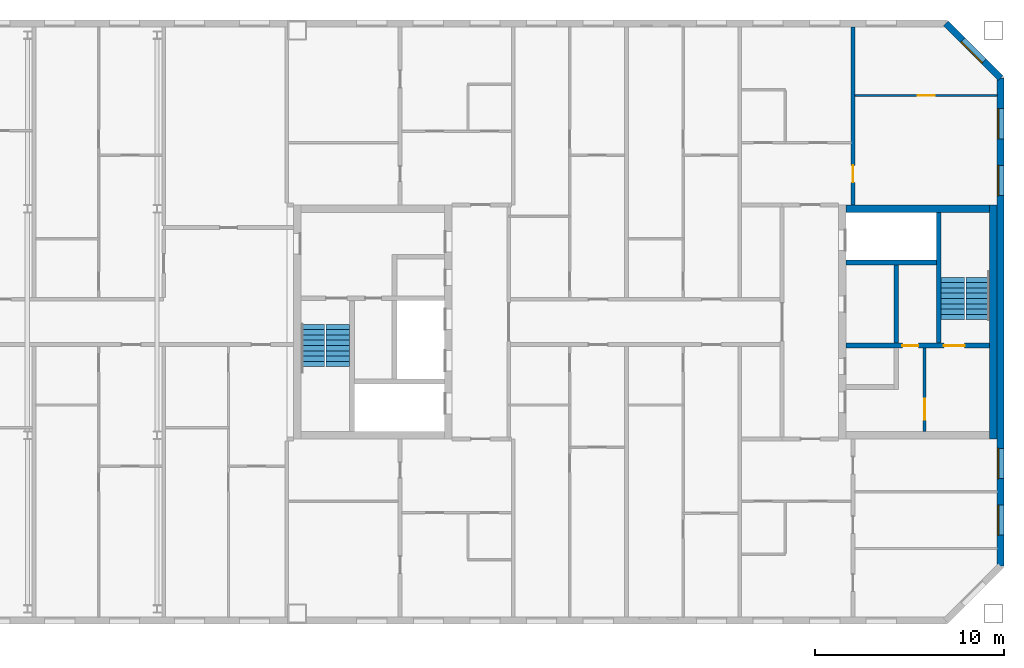
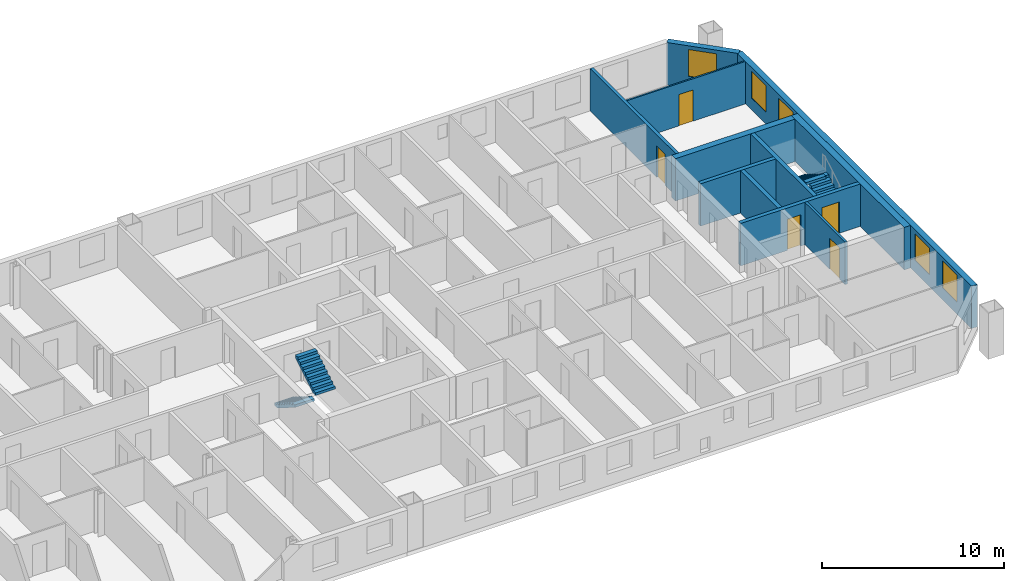
# One storey, part 17 of 19: 11 walls, 5 doors, 5 windows, 4 stair flights, 10 openings, 2 elements without a shape of their own.
"""IFC4 building model written with IfcOpenShell, lengths in metres."""

import ifcopenshell
import ifcopenshell.guid

model = None  # the IFC model being written
_history = None  # IfcOwnerHistory: only IFC2X3 demands one
_inside = {}  # id of a spatial element -> (the spatial element, [elements in it])
_under = {}  # id of a project, library or spatial element -> (it, [spatial elements below it])
_declared = {}  # id of a project -> (the project, [libraries it declares])
_typed = {}  # id of a type object -> (the type object, [elements of that type])
_made_of = {}  # id of a material, layer set ... -> (it, [elements and type objects made of it])


def new_model(schema):
    """Start an empty IFC model of exactly this schema.

    Asked for "IFC4X3", IfcOpenShell would pick the latest addendum, in which some entities
    have other attributes; the version numbers below select the first issue.
    IFC2X3 requires an IfcOwnerHistory on every rooted entity: one is made here for all.
    """
    global model, _history
    if schema == "IFC4X3":
        model = ifcopenshell.file(schema_version=(4, 3, 0, 0))
    else:
        model = ifcopenshell.file(schema=schema)
    _inside.clear()
    _under.clear()
    _declared.clear()
    _typed.clear()
    _made_of.clear()
    _history = None
    if model.schema == "IFC2X3":
        org = make("IfcOrganization", Name="unknown")
        user = make(
            "IfcPersonAndOrganization",
            ThePerson=make("IfcPerson", FamilyName="unknown"),
            TheOrganization=org,
        )
        app = make(
            "IfcApplication",
            ApplicationDeveloper=org,
            Version="unknown",
            ApplicationFullName="unknown",
            ApplicationIdentifier="unknown",
        )
        _history = make(
            "IfcOwnerHistory",
            OwningUser=user,
            OwningApplication=app,
            ChangeAction="ADDED",
            CreationDate=0,
        )
    return model


def make(cls, **values):
    """One entity of the class cls with the attributes given. An attribute that is None is left unset."""
    return model.create_entity(
        cls, **{name: value for name, value in values.items() if value is not None}
    )


def rooted(cls, **values):
    """An entity with a GlobalId (a new one), such as an element, a storey or a relation."""
    return make(cls, GlobalId=ifcopenshell.guid.new(), OwnerHistory=_history, **values)


def si_unit(unit_type, name, prefix=None):
    """IfcSIUnit, for example si_unit("LENGTHUNIT", "METRE", prefix="MILLI")."""
    return make("IfcSIUnit", UnitType=unit_type, Prefix=prefix, Name=name)


def assignment(units):
    """IfcUnitAssignment: the units of a project."""
    return None if units is None else make("IfcUnitAssignment", Units=units)


def point(xyz):
    """IfcCartesianPoint."""
    return None if xyz is None else make("IfcCartesianPoint", Coordinates=xyz)


def direction(xyz):
    """IfcDirection."""
    return None if xyz is None else make("IfcDirection", DirectionRatios=xyz)


def frame(location, z_axis=None, x_axis=None):
    """IfcAxis2Placement3D, a coordinate frame: its origin and axes. An axis left out is left unset."""
    return make(
        "IfcAxis2Placement3D",
        Location=point(location),
        Axis=direction(z_axis),
        RefDirection=direction(x_axis),
    )


def frame_2d(location, x_axis=None):
    """IfcAxis2Placement2D, a coordinate frame in the plane: its origin and x axis."""
    return make(
        "IfcAxis2Placement2D", Location=point(location), RefDirection=direction(x_axis)
    )


def origin():
    """The frame at (0, 0, 0) with its axes left unset."""
    return frame((0.0, 0.0, 0.0))


def place(relative_to, where):
    """IfcLocalPlacement: puts the frame where relative to a parent placement (None: the world)."""
    return make(
        "IfcLocalPlacement", PlacementRelTo=relative_to, RelativePlacement=where
    )


def context(
    kind, dimensions, precision=None, world=None, true_north=None, identifier=None
):
    """IfcGeometricRepresentationContext, for example the 3D "Model" context."""
    return make(
        "IfcGeometricRepresentationContext",
        ContextIdentifier=identifier,
        ContextType=kind,
        CoordinateSpaceDimension=dimensions,
        Precision=precision,
        WorldCoordinateSystem=world,
        TrueNorth=true_north,
    )


def subcontext(parent, identifier, kind, view, scale=None):
    """IfcGeometricRepresentationSubContext, for example "Body" below "Model"."""
    return make(
        "IfcGeometricRepresentationSubContext",
        ContextIdentifier=identifier,
        ContextType=kind,
        ParentContext=parent,
        TargetScale=scale,
        TargetView=view,
    )


def project(units=None, contexts=None):
    """IfcProject with its units and contexts."""
    return rooted(
        "IfcProject",
        Name="project",
        RepresentationContexts=contexts,
        UnitsInContext=assignment(units),
    )


def spatial(cls, under=None, at=None, **own):
    """A site, building, storey or space (cls), placed at a placement, below another one or the project."""
    s = rooted(cls, ObjectPlacement=at, **own)
    if under is not None:
        _under.setdefault(under.id(), (under, []))[1].append(s)
    return s


def polyline(points):
    """IfcPolyline through the points."""
    return make("IfcPolyline", Points=[point(p) for p in points])


def profile(cls, at=None, kind="AREA", **sizes):
    """A parametric profile (cls). Its sizes go by their IFC names, for example OverallWidth=200.0."""
    return make(cls, ProfileType=kind, Position=at, **sizes)


def rectangle(**sizes):
    """IfcRectangleProfileDef."""
    return profile("IfcRectangleProfileDef", **sizes)


def outline(outer, holes=None, kind="AREA"):
    """IfcArbitraryClosedProfileDef: a profile drawn as a closed curve; with holes, ...WithVoids."""
    if holes is None:
        return make("IfcArbitraryClosedProfileDef", ProfileType=kind, OuterCurve=outer)
    return make(
        "IfcArbitraryProfileDefWithVoids",
        ProfileType=kind,
        OuterCurve=outer,
        InnerCurves=holes,
    )


def extrude(swept, where, along, depth):
    """IfcExtrudedAreaSolid: the profile swept, set in the frame where, extruded along a direction by depth."""
    return make(
        "IfcExtrudedAreaSolid",
        SweptArea=swept,
        Position=where,
        ExtrudedDirection=direction(along),
        Depth=depth,
    )


def shape(context_of_items, identifier, shape_type, items):
    """IfcShapeRepresentation: the items that make up one representation, for example the "Body"."""
    return make(
        "IfcShapeRepresentation",
        ContextOfItems=context_of_items,
        RepresentationIdentifier=identifier,
        RepresentationType=shape_type,
        Items=items,
    )


def material(Name=None, Category=None):
    """IfcMaterial."""
    return make("IfcMaterial", Name=Name, Category=Category)


def layer(
    of_material, thickness, ventilated=None, Name=None, Category=None, Priority=None
):
    """IfcMaterialLayer: one layer of a wall or slab, of a material (None: an air gap)."""
    return make(
        "IfcMaterialLayer",
        Material=of_material,
        LayerThickness=thickness,
        IsVentilated=ventilated,
        Name=Name,
        Category=Category,
        Priority=Priority,
    )


def layer_set(layers, Name=None):
    """IfcMaterialLayerSet."""
    return make("IfcMaterialLayerSet", MaterialLayers=layers, LayerSetName=Name)


def made_of(thing, what):
    """Note that an element or type object is made of a material, layer set ...; save() writes the relation."""
    if what is not None:
        _made_of.setdefault(what.id(), (what, []))[1].append(thing)
    return thing


def type_object(cls, material=None, **own):
    """A type object (cls), such as IfcWallType, which elements share."""
    return made_of(rooted(cls, **own), material)


def element(
    cls,
    number,
    at=None,
    inside=None,
    cuts=None,
    type_object=None,
    material=None,
    context=None,
    identifier="Body",
    shape_type=None,
    held_by="IfcProductDefinitionShape",
    body=None,
    shapes=None,
    **own,
):
    """One element of the class cls, such as IfcWall. Its Tag is "e" and its number.

    at: its placement. inside: the storey or other place that contains it. cuts: it is an
    opening in that element (IfcRelVoidsElement). A single representation is given by context,
    identifier, shape_type and body (its items); several are given by shapes. held_by: the class
    of the entity that holds the representations. save() writes the other relations.
    """
    e = rooted(cls, Tag="e%d" % number, ObjectPlacement=at, **own)
    if body is not None:
        shapes = [shape(context, identifier, shape_type, body)]
    if shapes is not None:
        e.Representation = make(held_by, Representations=shapes)
    if inside is not None:
        _inside.setdefault(inside.id(), (inside, []))[1].append(e)
    if cuts is not None:
        rooted(
            "IfcRelVoidsElement", RelatingBuildingElement=cuts, RelatedOpeningElement=e
        )
    if type_object is not None:
        _typed.setdefault(type_object.id(), (type_object, []))[1].append(e)
    return made_of(e, material)


def fill(opening, filler):
    """IfcRelFillsElement: the door or window that sits in an opening."""
    return rooted(
        "IfcRelFillsElement",
        RelatingOpeningElement=opening,
        RelatedBuildingElement=filler,
    )


def aggregate(whole, parts):
    """IfcRelAggregates: a whole, such as a stair, and the parts it consists of."""
    return rooted("IfcRelAggregates", RelatingObject=whole, RelatedObjects=parts)


def save(model, path):
    """Write the relations noted so far, then the file.

    IfcRelAggregates (storeys below a building ...), IfcRelContainedInSpatialStructure (elements
    in a storey), IfcRelDefinesByType, IfcRelAssociatesMaterial and IfcRelDeclares: one each for
    every whole, place, type object, material and project.
    """
    for whole, parts in _under.values():
        aggregate(whole, parts)
    for where, things in _inside.values():
        rooted(
            "IfcRelContainedInSpatialStructure",
            RelatedElements=things,
            RelatingStructure=where,
        )
    for kind, things in _typed.values():
        rooted("IfcRelDefinesByType", RelatedObjects=things, RelatingType=kind)
    for what, things in _made_of.values():
        rooted("IfcRelAssociatesMaterial", RelatedObjects=things, RelatingMaterial=what)
    for by, libraries in _declared.values():
        rooted("IfcRelDeclares", RelatingContext=by, RelatedDefinitions=libraries)
    model.write(path)


model = new_model("IFC4")

# Units and contexts
model_context = context("Model", 3, precision=1e-05, world=origin(), true_north=direction((0.0, 1.0)))
body_context = subcontext(model_context, "Body", "Model", "MODEL_VIEW")
ifc_project = project(units=[si_unit("LENGTHUNIT", "METRE"), si_unit("AREAUNIT", "SQUARE_METRE"), si_unit("VOLUMEUNIT", "CUBIC_METRE"), si_unit("PLANEANGLEUNIT", "RADIAN"), si_unit("MASSUNIT", "GRAM", prefix="KILO")], contexts=[model_context])

# Site, building, storey
site_placement = place(None, origin())
site = spatial("IfcSite", under=ifc_project, at=site_placement, CompositionType="ELEMENT")
building_placement = place(site_placement, origin())
building = spatial("IfcBuilding", under=site, at=building_placement, Name="Tuart Gate Housing", CompositionType="ELEMENT")
storey_placement = place(building_placement, frame((0.0, 0.0, 233.800048828125)))
storey = spatial("IfcBuildingStorey", under=building, at=storey_placement, Name="L66", CompositionType="ELEMENT", Elevation=233.800048828125)

# Wall, openings, windows
ifc_material_1 = material(Name="Brick", Category="masonry")
ifc_layer_1 = layer(ifc_material_1, 0.360107421875)
ifc_layer_set_1 = layer_set([ifc_layer_1], Name="Brick pier and spandrel wall 360")
wall_type_1 = type_object("IfcWallType", Name="Brick pier and spandrel wall 360", PredefinedType="STANDARD", material=ifc_layer_set_1)
wall_1_placement = place(storey_placement, frame((168.820068359375, 57.07470703125, 0.0), z_axis=(0.0, 0.0, 1.0), x_axis=(0.0, 1.0, 0.0)))
wall_1 = element("IfcWall", 1, at=wall_1_placement, inside=storey, type_object=wall_type_1, Name="External wall BLK-E L66", PredefinedType="STANDARD", context=body_context, shape_type="SweptSolid", body=[
    extrude(rectangle(XDim=25.850830078125, YDim=0.360107421875, at=frame_2d((12.92529296875, 0.0))), origin(), (0.0, 0.0, 1.0), 2.849853515625),
])
opening_1_placement = place(wall_1_placement, frame((1.62548828125, 0.0, 0.800048828125)))
opening_1 = element("IfcOpeningElement", 2, at=opening_1_placement, cuts=wall_1, Name="Opening W1", PredefinedType="OPENING", context=body_context, shape_type="SweptSolid", body=[
    extrude(rectangle(XDim=1.60009765625, YDim=1.800048828125, at=frame_2d((0.800048828125, 0.89990234375))), frame((0.0, 0.18994140625, 0.0), z_axis=(0.0, -1.0, 0.0), x_axis=(1.0, 0.0, 0.0)), (0.0, 0.0, 1.0), 0.380126953125),
])
opening_2_placement = place(wall_1_placement, frame((4.62548828125, 0.0, 0.800048828125)))
opening_2 = element("IfcOpeningElement", 3, at=opening_2_placement, cuts=wall_1, Name="Opening W1", PredefinedType="OPENING", context=body_context, shape_type="SweptSolid", body=[
    extrude(rectangle(XDim=1.60009765625, YDim=1.800048828125, at=frame_2d((0.800048828125, 0.89990234375))), frame((0.0, 0.18994140625, 0.0), z_axis=(0.0, -1.0, 0.0), x_axis=(1.0, 0.0, 0.0)), (0.0, 0.0, 1.0), 0.380126953125),
])
opening_3_placement = place(wall_1_placement, frame((19.62548828125, 0.0, 0.800048828125)))
opening_3 = element("IfcOpeningElement", 4, at=opening_3_placement, cuts=wall_1, Name="Opening W1", PredefinedType="OPENING", context=body_context, shape_type="SweptSolid", body=[
    extrude(rectangle(XDim=1.60009765625, YDim=1.800048828125, at=frame_2d((0.800048828125, 0.89990234375))), frame((0.0, 0.18994140625, 0.0), z_axis=(0.0, -1.0, 0.0), x_axis=(1.0, 0.0, 0.0)), (0.0, 0.0, 1.0), 0.380126953125),
])
opening_4_placement = place(wall_1_placement, frame((22.62548828125, 0.0, 0.800048828125)))
opening_4 = element("IfcOpeningElement", 5, at=opening_4_placement, cuts=wall_1, Name="Opening W1", PredefinedType="OPENING", context=body_context, shape_type="SweptSolid", body=[
    extrude(rectangle(XDim=1.60009765625, YDim=1.800048828125, at=frame_2d((0.800048828125, 0.89990234375))), frame((0.0, 0.18994140625, 0.0), z_axis=(0.0, -1.0, 0.0), x_axis=(1.0, 0.0, 0.0)), (0.0, 0.0, 1.0), 0.380126953125),
])
ifc_material_2 = material(Name="Aluminium frame with clear glass", Category="aluminium")
window_type = type_object("IfcWindowType", Name="Punched window 1600 x 1800", PartitioningType="SINGLE_PANEL", PredefinedType="WINDOW", material=ifc_material_2)
window_1_placement = place(opening_1_placement, origin())
window_1 = element("IfcWindow", 6, at=window_1_placement, inside=storey, type_object=window_type, Name="Window W1", OverallHeight=1.800048828125, OverallWidth=1.60009765625, PartitioningType="SINGLE_PANEL", PredefinedType="WINDOW", context=body_context, shape_type="SweptSolid", body=[
    extrude(rectangle(XDim=1.60009765625, YDim=1.800048828125, at=frame_2d((0.800048828125, 0.89990234375))), frame((0.0, 0.150146484375, 0.0), z_axis=(0.0, -1.0, 0.0), x_axis=(1.0, 0.0, 0.0)), (0.0, 0.0, 1.0), 0.06005859375),
])
fill(opening_1, window_1)
window_2_placement = place(opening_2_placement, origin())
window_2 = element("IfcWindow", 7, at=window_2_placement, inside=storey, type_object=window_type, Name="Window W1", OverallHeight=1.800048828125, OverallWidth=1.60009765625, PartitioningType="SINGLE_PANEL", PredefinedType="WINDOW", context=body_context, shape_type="SweptSolid", body=[
    extrude(rectangle(XDim=1.60009765625, YDim=1.800048828125, at=frame_2d((0.800048828125, 0.89990234375))), frame((0.0, 0.150146484375, 0.0), z_axis=(0.0, -1.0, 0.0), x_axis=(1.0, 0.0, 0.0)), (0.0, 0.0, 1.0), 0.06005859375),
])
fill(opening_2, window_2)
window_3_placement = place(opening_3_placement, origin())
window_3 = element("IfcWindow", 8, at=window_3_placement, inside=storey, type_object=window_type, Name="Window W1", OverallHeight=1.800048828125, OverallWidth=1.60009765625, PartitioningType="SINGLE_PANEL", PredefinedType="WINDOW", context=body_context, shape_type="SweptSolid", body=[
    extrude(rectangle(XDim=1.60009765625, YDim=1.800048828125, at=frame_2d((0.800048828125, 0.89990234375))), frame((0.0, 0.150146484375, 0.0), z_axis=(0.0, -1.0, 0.0), x_axis=(1.0, 0.0, 0.0)), (0.0, 0.0, 1.0), 0.06005859375),
])
fill(opening_3, window_3)
window_4_placement = place(opening_4_placement, origin())
window_4 = element("IfcWindow", 9, at=window_4_placement, inside=storey, type_object=window_type, Name="Window W1", OverallHeight=1.800048828125, OverallWidth=1.60009765625, PartitioningType="SINGLE_PANEL", PredefinedType="WINDOW", context=body_context, shape_type="SweptSolid", body=[
    extrude(rectangle(XDim=1.60009765625, YDim=1.800048828125, at=frame_2d((0.800048828125, 0.89990234375))), frame((0.0, 0.150146484375, 0.0), z_axis=(0.0, -1.0, 0.0), x_axis=(1.0, 0.0, 0.0)), (0.0, 0.0, 1.0), 0.06005859375),
])
fill(opening_4, window_4)

# Wall, opening, window
wall_2_placement = place(storey_placement, frame((168.820068359375, 82.92529296875, 0.0), z_axis=(0.0, 0.0, 1.0), x_axis=(-0.707106781187, 0.707106781187, 0.0)))
wall_2 = element("IfcWall", 10, at=wall_2_placement, inside=storey, type_object=wall_type_1, Name="External wall BLK-NE L66", PredefinedType="STANDARD", context=body_context, shape_type="SweptSolid", body=[
    extrude(rectangle(XDim=4.09375, YDim=0.360107421875, at=frame_2d((2.046875, 0.0))), origin(), (0.0, 0.0, 1.0), 2.849853515625),
])
opening_5_placement = place(wall_2_placement, frame((1.2470703125, 0.0, 0.800048828125)))
opening_5 = element("IfcOpeningElement", 11, at=opening_5_placement, cuts=wall_2, Name="Opening W1", PredefinedType="OPENING", context=body_context, shape_type="SweptSolid", body=[
    extrude(rectangle(XDim=1.60009765625, YDim=1.800048828125, at=frame_2d((0.800048828125, 0.89990234375))), frame((0.0, 0.18994140625, 0.0), z_axis=(0.0, -1.0, 0.0), x_axis=(1.0, 0.0, 0.0)), (0.0, 0.0, 1.0), 0.380126953125),
])
window_5_placement = place(opening_5_placement, origin())
window_5 = element("IfcWindow", 12, at=window_5_placement, inside=storey, type_object=window_type, Name="Window W1", OverallHeight=1.800048828125, OverallWidth=1.60009765625, PartitioningType="SINGLE_PANEL", PredefinedType="WINDOW", context=body_context, shape_type="SweptSolid", body=[
    extrude(rectangle(XDim=1.60009765625, YDim=1.800048828125, at=frame_2d((0.800048828125, 0.89990234375))), frame((0.0, 0.150146484375, 0.0), z_axis=(0.0, -1.0, 0.0), x_axis=(1.0, 0.0, 0.0)), (0.0, 0.0, 1.0), 0.06005859375),
])
fill(opening_5, window_5)

# Wall, opening, door
ifc_material_3 = material(Name="Plasterboard partition")
ifc_layer_2 = layer(ifc_material_3, 0.14990234375)
ifc_layer_set_2 = layer_set([ifc_layer_2], Name="Core partition 150")
wall_type_2 = type_object("IfcWallType", Name="Core partition 150", PredefinedType="PARTITIONING", material=ifc_layer_set_2)
wall_3_placement = place(storey_placement, frame((164.7900390625, 68.625, 0.0), z_axis=(0.0, 0.0, 1.0), x_axis=(0.0, -1.0, 0.0)))
wall_3 = element("IfcWall", 13, at=wall_3_placement, inside=storey, type_object=wall_type_2, Name="Core partition BK.6", PredefinedType="PARTITIONING", context=body_context, shape_type="SweptSolid", body=[
    extrude(rectangle(XDim=4.425048828125, YDim=0.14990234375, at=frame_2d((2.21240234375, 0.0))), origin(), (0.0, 0.0, 1.0), 2.849853515625),
])
opening_6_placement = place(wall_3_placement, frame((2.699951171875, 0.0, 0.0)))
opening_6 = element("IfcOpeningElement", 14, at=opening_6_placement, cuts=wall_3, Name="Opening D2589", PredefinedType="OPENING", context=body_context, shape_type="SweptSolid", body=[
    extrude(rectangle(XDim=1.10009765625, YDim=2.10009765625, at=frame_2d((0.550048828125, 1.050048828125))), frame((0.0, 0.0849609375, 0.0), z_axis=(0.0, -1.0, 0.0), x_axis=(1.0, 0.0, 0.0)), (0.0, 0.0, 1.0), 0.169921875),
])
ifc_material_4 = material(Name="Steel fire door", Category="steel")
door_type_1 = type_object("IfcDoorType", Name="Lobby door 1100 x 2100 RH", OperationType="SINGLE_SWING_RIGHT", PredefinedType="DOOR", material=ifc_material_4)
door_1_placement = place(opening_6_placement, origin())
door_1 = element("IfcDoor", 15, at=door_1_placement, inside=storey, type_object=door_type_1, Name="Smoke lobby door BK.KD", OperationType="SINGLE_SWING_RIGHT", OverallHeight=2.10009765625, OverallWidth=1.10009765625, PredefinedType="DOOR", context=body_context, shape_type="SweptSolid", body=[
    extrude(rectangle(XDim=1.10009765625, YDim=2.10009765625, at=frame_2d((0.550048828125, 1.050048828125))), frame((0.0, 0.02490234375, 0.0), z_axis=(0.0, -1.0, 0.0), x_axis=(1.0, 0.0, 0.0)), (0.0, 0.0, 1.0), 0.050048828125),
])
fill(opening_6, door_1)

# Wall
ifc_material_5 = material(Name="Concrete C40", Category="concrete")
ifc_layer_3 = layer(ifc_material_5, 0.25)
ifc_layer_set_3 = layer_set([ifc_layer_3], Name="Core wall 250 C40")
wall_type_3 = type_object("IfcWallType", Name="Core wall 250 C40", PredefinedType="SHEAR", material=ifc_layer_set_3)
wall_4_placement = place(storey_placement, frame((160.639892578125, 73.14990234375, 0.0), z_axis=(0.0, 0.0, 1.0), x_axis=(1.0, 0.0, 0.0)))
element("IfcWall", 16, at=wall_4_placement, inside=storey, type_object=wall_type_3, Name="Core wall BK.1", PredefinedType="SHEAR", context=body_context, shape_type="SweptSolid", body=[
    extrude(rectangle(XDim=4.775146484375, YDim=0.25, at=frame_2d((2.3876953125, 0.0))), origin(), (0.0, 0.0, 1.0), 2.849853515625),
])

# Wall, openings, doors
wall_5_placement = place(storey_placement, frame((160.639892578125, 68.75, 0.0), z_axis=(0.0, 0.0, 1.0), x_axis=(1.0, 0.0, 0.0)))
wall_5 = element("IfcWall", 17, at=wall_5_placement, inside=storey, type_object=wall_type_3, Name="Core wall BK.2", PredefinedType="SHEAR", context=body_context, shape_type="SweptSolid", body=[
    extrude(rectangle(XDim=7.60009765625, YDim=0.25, at=frame_2d((3.800048828125, 0.0))), origin(), (0.0, 0.0, 1.0), 2.849853515625),
])
opening_7_placement = place(wall_5_placement, frame((5.175048828125, 0.0, 0.0)))
opening_7 = element("IfcOpeningElement", 18, at=opening_7_placement, cuts=wall_5, Name="Opening D2588", PredefinedType="OPENING", context=body_context, shape_type="SweptSolid", body=[
    extrude(rectangle(XDim=1.10009765625, YDim=2.10009765625, at=frame_2d((0.550048828125, 1.050048828125))), frame((0.0, 0.135009765625, 0.0), z_axis=(0.0, -1.0, 0.0), x_axis=(1.0, 0.0, 0.0)), (0.0, 0.0, 1.0), 0.27001953125),
])
opening_8_placement = place(wall_5_placement, frame((2.97509765625, 0.0, 0.0)))
opening_8 = element("IfcOpeningElement", 19, at=opening_8_placement, cuts=wall_5, Name="Opening D2587", PredefinedType="OPENING", context=body_context, shape_type="SweptSolid", body=[
    extrude(rectangle(XDim=0.85009765625, YDim=2.10009765625, at=frame_2d((0.425048828125, 1.050048828125))), frame((0.0, 0.135009765625, 0.0), z_axis=(0.0, -1.0, 0.0), x_axis=(1.0, 0.0, 0.0)), (0.0, 0.0, 1.0), 0.27001953125),
])
ifc_material_6 = material(Name="Steel fire door", Category="steel")
door_type_2 = type_object("IfcDoorType", Name="Riser door 850 x 2100", OperationType="SINGLE_SWING_LEFT", PredefinedType="DOOR", material=ifc_material_6)
door_2_placement = place(opening_8_placement, origin())
door_2 = element("IfcDoor", 20, at=door_2_placement, inside=storey, type_object=door_type_2, Name="Service room door BK.W1", OperationType="SINGLE_SWING_LEFT", OverallHeight=2.10009765625, OverallWidth=0.85009765625, PredefinedType="DOOR", context=body_context, shape_type="SweptSolid", body=[
    extrude(rectangle(XDim=0.85009765625, YDim=2.10009765625, at=frame_2d((0.425048828125, 1.050048828125))), frame((0.0, 0.02490234375, 0.0), z_axis=(0.0, -1.0, 0.0), x_axis=(1.0, 0.0, 0.0)), (0.0, 0.0, 1.0), 0.050048828125),
])
fill(opening_8, door_2)
ifc_material_7 = material(Name="Steel fire door", Category="steel")
door_type_3 = type_object("IfcDoorType", Name="Stair door 1100 x 2100", OperationType="SINGLE_SWING_LEFT", PredefinedType="DOOR", material=ifc_material_7)
door_3_placement = place(opening_7_placement, origin())
door_3 = element("IfcDoor", 21, at=door_3_placement, inside=storey, type_object=door_type_3, Name="Stair door BK.SD", OperationType="SINGLE_SWING_LEFT", OverallHeight=2.10009765625, OverallWidth=1.10009765625, PredefinedType="DOOR", context=body_context, shape_type="SweptSolid", body=[
    extrude(rectangle(XDim=1.10009765625, YDim=2.10009765625, at=frame_2d((0.550048828125, 1.050048828125))), frame((0.0, 0.02490234375, 0.0), z_axis=(0.0, -1.0, 0.0), x_axis=(1.0, 0.0, 0.0)), (0.0, 0.0, 1.0), 0.050048828125),
])
fill(opening_7, door_3)

# Walls
wall_6_placement = place(storey_placement, frame((163.2900390625, 73.02490234375, 0.0), z_axis=(0.0, 0.0, 1.0), x_axis=(0.0, -1.0, 0.0)))
element("IfcWall", 22, at=wall_6_placement, inside=storey, type_object=wall_type_3, Name="Core wall BK.4", PredefinedType="SHEAR", context=body_context, shape_type="SweptSolid", body=[
    extrude(rectangle(XDim=4.14990234375, YDim=0.25, at=frame_2d((2.074951171875, 0.0))), origin(), (0.0, 0.0, 1.0), 2.849853515625),
])
wall_7_placement = place(storey_placement, frame((165.5400390625, 75.800048828125, 0.0), z_axis=(0.0, 0.0, 1.0), x_axis=(0.0, -1.0, 0.0)))
element("IfcWall", 23, at=wall_7_placement, inside=storey, type_object=wall_type_3, Name="Core wall BK.7", PredefinedType="SHEAR", context=body_context, shape_type="SweptSolid", body=[
    extrude(rectangle(XDim=6.925048828125, YDim=0.25, at=frame_2d((3.46240234375, 0.0))), origin(), (0.0, 0.0, 1.0), 2.849853515625),
])
ifc_material_8 = material(Name="Concrete C40", Category="concrete")
ifc_layer_4 = layer(ifc_material_8, 0.39990234375)
ifc_layer_set_4 = layer_set([ifc_layer_4], Name="Core wall 400 C40")
wall_type_4 = type_object("IfcWallType", Name="Core wall 400 C40", PredefinedType="SHEAR", material=ifc_layer_set_4)
wall_8_placement = place(storey_placement, frame((168.43994140625, 76.199951171875, 0.0), z_axis=(0.0, 0.0, 1.0), x_axis=(0.0, -1.0, 0.0)))
element("IfcWall", 24, at=wall_8_placement, inside=storey, type_object=wall_type_4, Name="Core wall BK back", PredefinedType="SHEAR", context=body_context, shape_type="SweptSolid", body=[
    extrude(rectangle(XDim=12.39990234375, YDim=0.39990234375, at=frame_2d((6.199951171875, 0.0))), origin(), (0.0, 0.0, 1.0), 2.849853515625),
])
wall_9_placement = place(storey_placement, frame((160.639892578125, 76.0, 0.0), z_axis=(0.0, 0.0, 1.0), x_axis=(1.0, 0.0, 0.0)))
element("IfcWall", 25, at=wall_9_placement, inside=storey, type_object=wall_type_4, Name="Core wall BK south", PredefinedType="SHEAR", context=body_context, shape_type="SweptSolid", body=[
    extrude(rectangle(XDim=7.60009765625, YDim=0.39990234375, at=frame_2d((3.800048828125, 0.0))), origin(), (0.0, 0.0, 1.0), 2.849853515625),
])

# Wall, opening, door
ifc_material_9 = material(Name="Gypsum board on steel studs", Category="steel")
ifc_layer_5 = layer(ifc_material_9, 0.10009765625)
ifc_layer_set_5 = layer_set([ifc_layer_5], Name="Partition 100")
wall_type_5 = type_object("IfcWallType", Name="Partition 100", PredefinedType="PARTITIONING", material=ifc_layer_set_5)
wall_10_placement = place(storey_placement, frame((161.10009765625, 82.0, 0.0), z_axis=(0.0, 0.0, 1.0), x_axis=(1.0, 0.0, 0.0)))
wall_10 = element("IfcWall", 26, at=wall_10_placement, inside=storey, type_object=wall_type_5, Name="Partition 100", PredefinedType="PARTITIONING", context=body_context, shape_type="SweptSolid", body=[
    extrude(rectangle(XDim=7.539794921875, YDim=0.10009765625, at=frame_2d((3.77001953125, 0.0))), origin(), (0.0, 0.0, 1.0), 2.849853515625),
])
opening_9_placement = place(wall_10_placement, frame((3.320068359375, 0.0, 0.0)))
opening_9 = element("IfcOpeningElement", 27, at=opening_9_placement, cuts=wall_10, Name="Opening D2557", PredefinedType="OPENING", context=body_context, shape_type="SweptSolid", body=[
    extrude(rectangle(XDim=0.89990234375, YDim=2.10009765625, at=frame_2d((0.449951171875, 1.050048828125))), frame((0.0, 0.06005859375, 0.0), z_axis=(0.0, -1.0, 0.0), x_axis=(1.0, 0.0, 0.0)), (0.0, 0.0, 1.0), 0.1201171875),
])
ifc_material_10 = material(Name="Timber door leaf in steel frame", Category="steel")
door_type_4 = type_object("IfcDoorType", Name="Internal door 900 RH", OperationType="SINGLE_SWING_RIGHT", PredefinedType="DOOR", material=ifc_material_10)
door_4_placement = place(opening_9_placement, origin())
door_4 = element("IfcDoor", 28, at=door_4_placement, inside=storey, type_object=door_type_4, Name="Internal door", OperationType="SINGLE_SWING_RIGHT", OverallHeight=2.10009765625, OverallWidth=0.89990234375, PredefinedType="DOOR", context=body_context, shape_type="SweptSolid", body=[
    extrude(rectangle(XDim=0.89990234375, YDim=2.10009765625, at=frame_2d((0.449951171875, 1.050048828125))), frame((0.0, 0.02490234375, 0.0), z_axis=(0.0, -1.0, 0.0), x_axis=(1.0, 0.0, 0.0)), (0.0, 0.0, 1.0), 0.050048828125),
])
fill(opening_9, door_4)

ifc_material_11 = material(Name="Concrete C40", Category="concrete")
ifc_layer_6 = layer(ifc_material_11, 0.199951171875)
ifc_layer_set_6 = layer_set([ifc_layer_6], Name="Party wall concrete C40 200")
wall_type_6 = type_object("IfcWallType", Name="Party wall concrete C40 200", PredefinedType="SOLIDWALL", material=ifc_layer_set_6)
wall_11_placement = place(storey_placement, frame((161.0, 76.199951171875, 0.0), z_axis=(0.0, 0.0, 1.0), x_axis=(0.0, 1.0, 0.0)))
wall_11 = element("IfcWall", 29, at=wall_11_placement, inside=storey, type_object=wall_type_6, Name="Party wall concrete C40 200", PredefinedType="SOLIDWALL", context=body_context, shape_type="SweptSolid", body=[
    extrude(rectangle(XDim=9.43994140625, YDim=0.199951171875, at=frame_2d((4.719970703125, 0.0))), origin(), (0.0, 0.0, 1.0), 2.849853515625),
])
opening_10_placement = place(wall_11_placement, frame((1.199951171875, 0.0, 0.0)))
opening_10 = element("IfcOpeningElement", 30, at=opening_10_placement, cuts=wall_11, Name="Opening D2560", PredefinedType="OPENING", context=body_context, shape_type="SweptSolid", body=[
    extrude(rectangle(XDim=0.89990234375, YDim=2.10009765625, at=frame_2d((0.449951171875, 1.050048828125))), frame((0.0, 0.10986328125, 0.0), z_axis=(0.0, -1.0, 0.0), x_axis=(1.0, 0.0, 0.0)), (0.0, 0.0, 1.0), 0.219970703125),
])
ifc_material_12 = material(Name="Timber door leaf in steel frame", Category="steel")
door_type_5 = type_object("IfcDoorType", Name="Internal door 900", OperationType="SINGLE_SWING_LEFT", PredefinedType="DOOR", material=ifc_material_12)
door_5_placement = place(opening_10_placement, origin())
door_5 = element("IfcDoor", 31, at=door_5_placement, inside=storey, type_object=door_type_5, Name="Internal door", OperationType="SINGLE_SWING_LEFT", OverallHeight=2.10009765625, OverallWidth=0.89990234375, PredefinedType="DOOR", context=body_context, shape_type="SweptSolid", body=[
    extrude(rectangle(XDim=0.89990234375, YDim=2.10009765625, at=frame_2d((0.449951171875, 1.050048828125))), frame((0.0, 0.02490234375, 0.0), z_axis=(0.0, -1.0, 0.0), x_axis=(1.0, 0.0, 0.0)), (0.0, 0.0, 1.0), 0.050048828125),
])
fill(opening_10, door_5)

# Stair, stair flights
ifc_material_13 = material(Name="Concrete C40", Category="concrete")
stair_type = type_object("IfcStairType", Name="Core stair 1250", PredefinedType="HALF_TURN_STAIR", material=ifc_material_13)
stair_1_placement = place(storey_placement, origin())
stair_1 = element("IfcStair", 32, at=stair_1_placement, inside=storey, type_object=stair_type, Name="Stair SB1", PredefinedType="HALF_TURN_STAIR")
ifc_material_14 = material(Name="Concrete C40", Category="concrete")
stair_flight_type = type_object("IfcStairFlightType", Name="Stair flight 1250, 9 risers 172 x 280", PredefinedType="STRAIGHT", material=ifc_material_14)
stair_flight_1_placement = place(storey_placement, frame((132.385009765625, 69.875, 0.0), z_axis=(0.0, 0.0, 1.0), x_axis=(0.0, -1.0, 0.0)))
stair_flight_1 = element("IfcStairFlight", 33, at=stair_flight_1_placement, type_object=stair_flight_type, Name="SB1 flight 1", NumberOfRisers=9, NumberOfTreads=8, PredefinedType="STRAIGHT", RiserHeight=0.172222222, TreadLength=0.28, context=body_context, shape_type="SweptSolid", body=[
    extrude(outline(polyline([(0.0, 0.0), (0.0, 0.172119140625), (0.280029296875, 0.172119140625), (0.280029296875, 0.344482421875), (0.56005859375, 0.344482421875), (0.56005859375, 0.5166015625), (0.840087890625, 0.5166015625), (0.840087890625, 0.68896484375), (1.1201171875, 0.68896484375), (1.1201171875, 0.861083984375), (1.39990234375, 0.861083984375), (1.39990234375, 1.033447265625), (1.679931640625, 1.033447265625), (1.679931640625, 1.20556640625), (1.9599609375, 1.20556640625), (1.9599609375, 1.377685546875), (2.239990234375, 1.377685546875), (2.239990234375, 1.550048828125), (2.239990234375, 1.201904296875), (0.2861328125, 0.0), (0.0, 0.0)])), frame((0.0, 0.625, 0.0), z_axis=(0.0, -1.0, 0.0), x_axis=(1.0, 0.0, 0.0)), (0.0, 0.0, 1.0), 1.25),
])
stair_flight_2_placement = place(storey_placement, frame((133.7099609375, 67.635009765625, 1.550048828125), z_axis=(0.0, 0.0, 1.0), x_axis=(0.0, 1.0, 0.0)))
stair_flight_2 = element("IfcStairFlight", 34, at=stair_flight_2_placement, type_object=stair_flight_type, Name="SB1 flight 2", NumberOfRisers=9, NumberOfTreads=8, PredefinedType="STRAIGHT", RiserHeight=0.172222222, TreadLength=0.28, context=body_context, shape_type="SweptSolid", body=[
    extrude(outline(polyline([(0.0, 0.0), (0.0, 0.172119140625), (0.280029296875, 0.172119140625), (0.280029296875, 0.344482421875), (0.56005859375, 0.344482421875), (0.56005859375, 0.5166015625), (0.840087890625, 0.5166015625), (0.840087890625, 0.68896484375), (1.1201171875, 0.68896484375), (1.1201171875, 0.861083984375), (1.39990234375, 0.861083984375), (1.39990234375, 1.033447265625), (1.679931640625, 1.033447265625), (1.679931640625, 1.20556640625), (1.9599609375, 1.20556640625), (1.9599609375, 1.377685546875), (2.239990234375, 1.377685546875), (2.239990234375, 1.550048828125), (2.239990234375, 1.201904296875), (0.2861328125, 0.0), (0.0, 0.0)])), frame((0.0, 0.625, 0.0), z_axis=(0.0, -1.0, 0.0), x_axis=(1.0, 0.0, 0.0)), (0.0, 0.0, 1.0), 1.25),
])
aggregate(stair_1, [stair_flight_1, stair_flight_2])

stair_2_placement = place(storey_placement, origin())
stair_2 = element("IfcStair", 35, at=stair_2_placement, inside=storey, type_object=stair_type, Name="Stair SB2", PredefinedType="HALF_TURN_STAIR")
stair_flight_3_placement = place(storey_placement, frame((167.614990234375, 70.125, 0.0), z_axis=(0.0, 0.0, 1.0), x_axis=(0.0, 1.0, 0.0)))
stair_flight_3 = element("IfcStairFlight", 36, at=stair_flight_3_placement, type_object=stair_flight_type, Name="SB2 flight 1", NumberOfRisers=9, NumberOfTreads=8, PredefinedType="STRAIGHT", RiserHeight=0.172222222, TreadLength=0.28, context=body_context, shape_type="SweptSolid", body=[
    extrude(outline(polyline([(0.0, 0.0), (0.0, 0.172119140625), (0.280029296875, 0.172119140625), (0.280029296875, 0.344482421875), (0.56005859375, 0.344482421875), (0.56005859375, 0.5166015625), (0.840087890625, 0.5166015625), (0.840087890625, 0.68896484375), (1.1201171875, 0.68896484375), (1.1201171875, 0.861083984375), (1.39990234375, 0.861083984375), (1.39990234375, 1.033447265625), (1.679931640625, 1.033447265625), (1.679931640625, 1.20556640625), (1.9599609375, 1.20556640625), (1.9599609375, 1.377685546875), (2.239990234375, 1.377685546875), (2.239990234375, 1.550048828125), (2.239990234375, 1.201904296875), (0.2861328125, 0.0), (0.0, 0.0)])), frame((0.0, 0.625, 0.0), z_axis=(0.0, -1.0, 0.0), x_axis=(1.0, 0.0, 0.0)), (0.0, 0.0, 1.0), 1.25),
])
stair_flight_4_placement = place(storey_placement, frame((166.2900390625, 72.364990234375, 1.550048828125), z_axis=(0.0, 0.0, 1.0), x_axis=(0.0, -1.0, 0.0)))
stair_flight_4 = element("IfcStairFlight", 37, at=stair_flight_4_placement, type_object=stair_flight_type, Name="SB2 flight 2", NumberOfRisers=9, NumberOfTreads=8, PredefinedType="STRAIGHT", RiserHeight=0.172222222, TreadLength=0.28, context=body_context, shape_type="SweptSolid", body=[
    extrude(outline(polyline([(0.0, 0.0), (0.0, 0.172119140625), (0.280029296875, 0.172119140625), (0.280029296875, 0.344482421875), (0.56005859375, 0.344482421875), (0.56005859375, 0.5166015625), (0.840087890625, 0.5166015625), (0.840087890625, 0.68896484375), (1.1201171875, 0.68896484375), (1.1201171875, 0.861083984375), (1.39990234375, 0.861083984375), (1.39990234375, 1.033447265625), (1.679931640625, 1.033447265625), (1.679931640625, 1.20556640625), (1.9599609375, 1.20556640625), (1.9599609375, 1.377685546875), (2.239990234375, 1.377685546875), (2.239990234375, 1.550048828125), (2.239990234375, 1.201904296875), (0.2861328125, 0.0), (0.0, 0.0)])), frame((0.0, 0.625, 0.0), z_axis=(0.0, -1.0, 0.0), x_axis=(1.0, 0.0, 0.0)), (0.0, 0.0, 1.0), 1.25),
])
aggregate(stair_2, [stair_flight_3, stair_flight_4])

save(model, "model.ifc")
